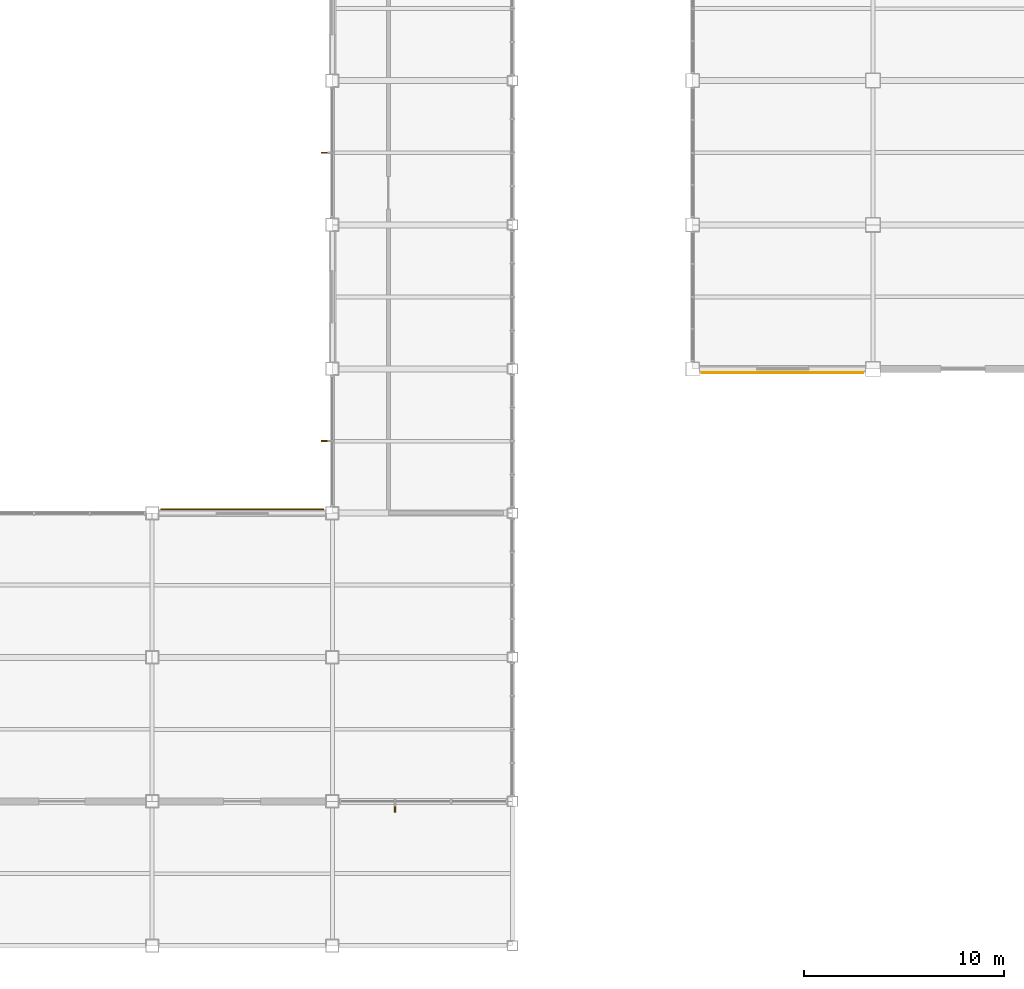
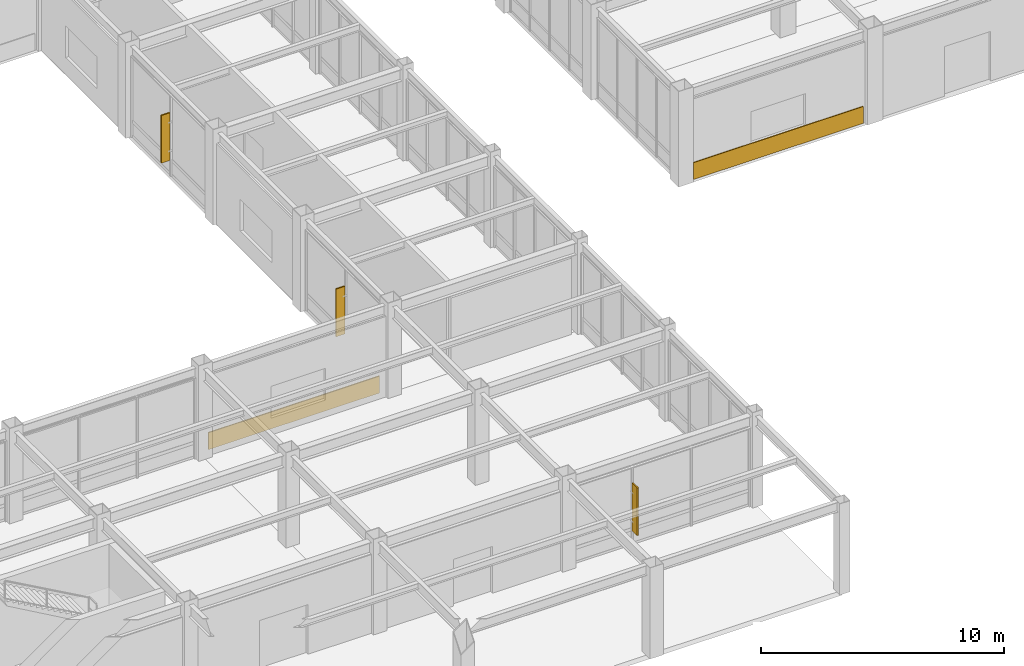
# One storey, part 107 of 112: 3 shading devices, 2 coverings.
"""IFC4 building model written with IfcOpenShell, lengths in metres."""

from ifc_helpers import new_model, si_unit, direction, frame, origin, origin_2d, place, context, subcontext, project, spatial, rectangle, extrude, material, layer, layer_set, type_object, element, save


model = new_model("IFC4")

# Units and contexts
model_context = context("Model", 3, precision=1e-05, world=origin(), true_north=direction((0.0, 1.0)))
body_context = subcontext(model_context, "Body", "Model", "MODEL_VIEW")
ifc_project = project(units=[si_unit("LENGTHUNIT", "METRE"), si_unit("AREAUNIT", "SQUARE_METRE"), si_unit("VOLUMEUNIT", "CUBIC_METRE"), si_unit("PLANEANGLEUNIT", "RADIAN"), si_unit("MASSUNIT", "GRAM", prefix="KILO")], contexts=[model_context])

# Site, building, storey
site_placement = place(None, origin())
site = spatial("IfcSite", under=ifc_project, at=site_placement, CompositionType="ELEMENT")
building_placement = place(site_placement, origin())
building = spatial("IfcBuilding", under=site, at=building_placement, Name="Kazanami Central Library", CompositionType="ELEMENT")
storey_placement = place(building_placement, origin())
storey = spatial("IfcBuildingStorey", under=building, at=storey_placement, Name="L01", CompositionType="ELEMENT", Elevation=0.0)

# Coverings
ifc_material_1 = material(Name="Honed Inada Granite", Category="masonry")
ifc_layer_1 = layer(ifc_material_1, 0.0400390625, Name="Honed Inada Granite")
ifc_layer_set_1 = layer_set([ifc_layer_1], Name="Honed Inada Granite")
covering_type_1 = type_object("IfcCoveringType", Name="COV-CLD-40", PredefinedType="CLADDING", material=ifc_layer_set_1)
covering_1_placement = place(storey_placement, frame((121.487548828125, 43.0048828125, 0.02490234375), z_axis=(0.0, 0.0, 1.0), x_axis=(1.0, 0.0, 0.0)))
element("IfcCovering", 1, at=covering_1_placement, inside=storey, type_object=covering_type_1, Name="Honed Inada Granite Plinth CLD-40 S-G-13", PredefinedType="CLADDING", context=body_context, shape_type="SweptSolid", body=[
    extrude(rectangle(XDim=8.074951171875, YDim=0.0400390625, at=origin_2d()), origin(), (0.0, 0.0, 1.0), 0.85009765625),
])
ifc_layer_2 = layer(ifc_material_1, 0.050048828125, Name="Honed Inada Granite")
ifc_layer_set_2 = layer_set([ifc_layer_2], Name="Honed Inada Granite")
covering_type_2 = type_object("IfcCoveringType", Name="COV-CLD-50", PredefinedType="CLADDING", material=ifc_layer_set_2)
covering_2_placement = place(storey_placement, frame((94.5, 36.199951171875, 0.02490234375), z_axis=(0.0, 0.0, 1.0), x_axis=(-1.0, 0.0, 0.0)))
element("IfcCovering", 2, at=covering_2_placement, inside=storey, type_object=covering_type_2, Name="Honed Inada Granite Plinth CLD-50 N-F-10", PredefinedType="CLADDING", context=body_context, shape_type="SweptSolid", body=[
    extrude(rectangle(XDim=8.14990234375, YDim=0.050048828125, at=origin_2d()), origin(), (0.0, 0.0, 1.0), 0.85009765625),
])

# Shading devices
ifc_material_2 = material(Name="Anodised Bronze-Grey Aluminium A6063-T5", Category="aluminium")
shading_device_type = type_object("IfcShadingDeviceType", Name="SHD-FIN-2", PredefinedType="USERDEFINED", material=ifc_material_2)
for number, where, z_axis, x_axis, name in (
    (3, (102.13330078125, 21.27001953125, 0.777587890625), (0.0, 0.0, 1.0), (1.0, 0.0, 0.0), "Vertical Solar Fin SF-02 L01 S-D-11.1"),
    (4, (98.669921875, 39.60009765625, 0.82763671875), (0.0, 0.0, 1.0), (0.0, 1.0, 0.0), "Vertical Solar Fin SF-02 L01 W-12-05.1"),
    (5, (98.669921875, 54.0, 0.82763671875), (0.0, 0.0, 1.0), (0.0, 1.0, 0.0), "Vertical Solar Fin SF-02 L01 W-12-07.1"),
):
    element("IfcShadingDevice", number, at=place(storey_placement, frame(where, z_axis=z_axis, x_axis=x_axis)), inside=storey, type_object=shading_device_type, Name=name, ObjectType="SOLAR FIN", PredefinedType="USERDEFINED", context=body_context, shape_type="SweptSolid", body=[
        extrude(rectangle(XDim=0.06494140625, YDim=0.419921875, at=origin_2d()), origin(), (0.0, 0.0, 1.0), 2.39990234375),
    ])

save(model, "model.ifc")
